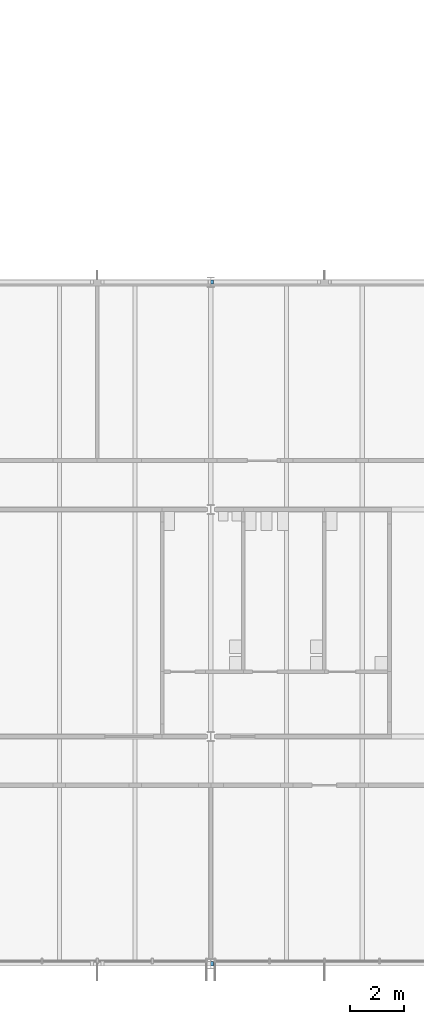
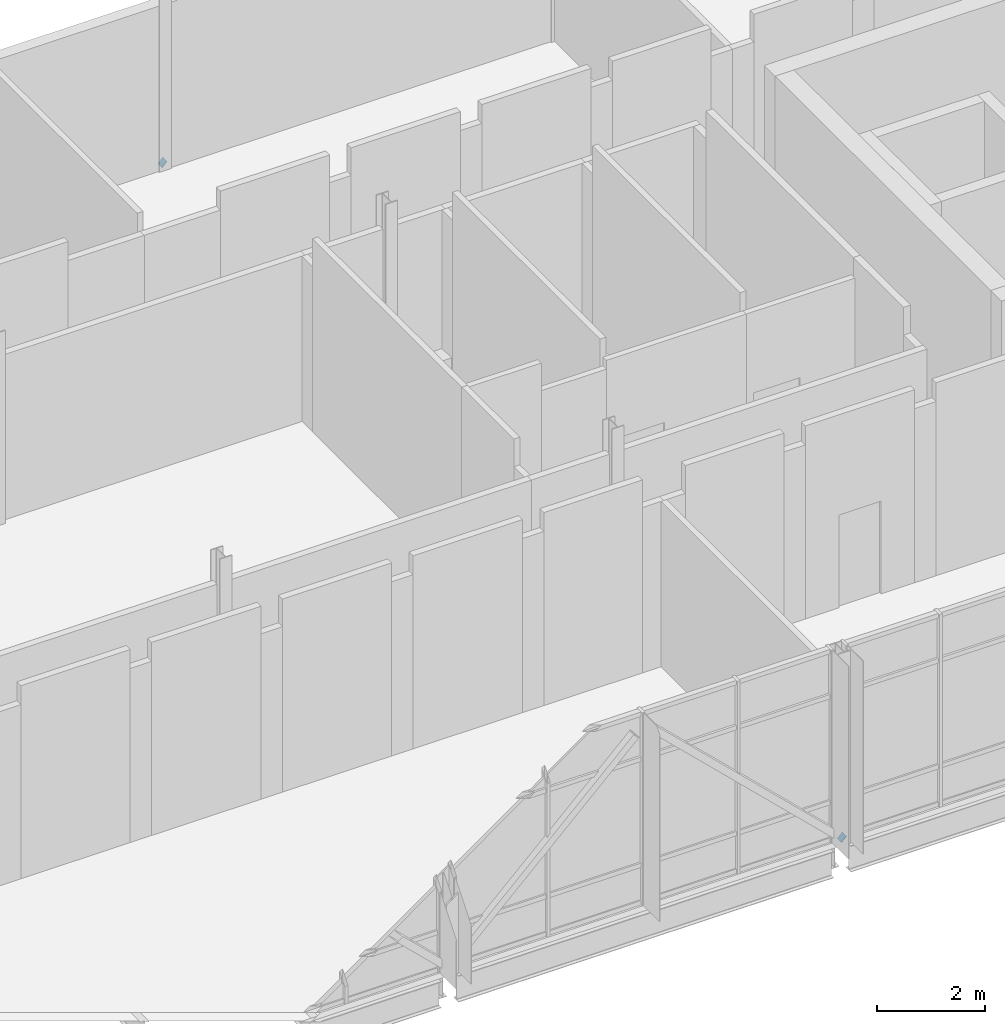
# One storey, part 53 of 72: 2 discrete accessories.
"""IFC4 building model written with IfcOpenShell, lengths in metres."""

from ifc_helpers import new_model, si_unit, direction, frame, origin, origin_2d, place, context, subcontext, project, spatial, rectangle, extrude, material, element, save


model = new_model("IFC4")

# Units and contexts
model_context = context("Model", 3, precision=1e-05, world=origin(), true_north=direction((0.0, 1.0)))
body_context = subcontext(model_context, "Body", "Model", "MODEL_VIEW")
ifc_project = project(units=[si_unit("LENGTHUNIT", "METRE"), si_unit("AREAUNIT", "SQUARE_METRE"), si_unit("VOLUMEUNIT", "CUBIC_METRE"), si_unit("PLANEANGLEUNIT", "RADIAN"), si_unit("MASSUNIT", "GRAM", prefix="KILO")], contexts=[model_context])

# Site, building, storey
site_placement = place(None, origin())
site = spatial("IfcSite", under=ifc_project, at=site_placement, CompositionType="ELEMENT")
building_placement = place(site_placement, origin())
building = spatial("IfcBuilding", under=site, at=building_placement, Name="Hlaing Beacon Police Headquarters", CompositionType="ELEMENT")
storey_placement = place(building_placement, frame((0.0, 0.0, 14.39990234375)))
storey = spatial("IfcBuildingStorey", under=building, at=storey_placement, Name="L03", CompositionType="ELEMENT", Elevation=14.39990234375)

# Discrete accessories
ifc_material = material(Name="Steel ASTM A572 Grade 50", Category="steel")
for number, where, z_axis, x_axis, name in (
    (1, (42.03955078125, 8.39990234375, 0.059326171875), (0.719983903196, 0.0, -0.693990763006), (0.0, 1.0, 0.0), "Gusset plate GP-015"),
    (2, (42.03955078125, 33.60009765625, 0.059326171875), (0.719983903196, 0.0, -0.693990763006), (0.0, 1.0, 0.0), "Gusset plate GP-027"),
):
    element("IfcDiscreteAccessory", number, at=place(storey_placement, frame(where, z_axis=z_axis, x_axis=x_axis)), inside=storey, material=ifc_material, Name=name, PredefinedType="BRACKET", context=body_context, shape_type="SweptSolid", body=[
        extrude(rectangle(XDim=0.15234375, YDim=0.15234375, at=origin_2d()), origin(), (0.0, 0.0, 1.0), 0.011962890625),
    ])

save(model, "model.ifc")
